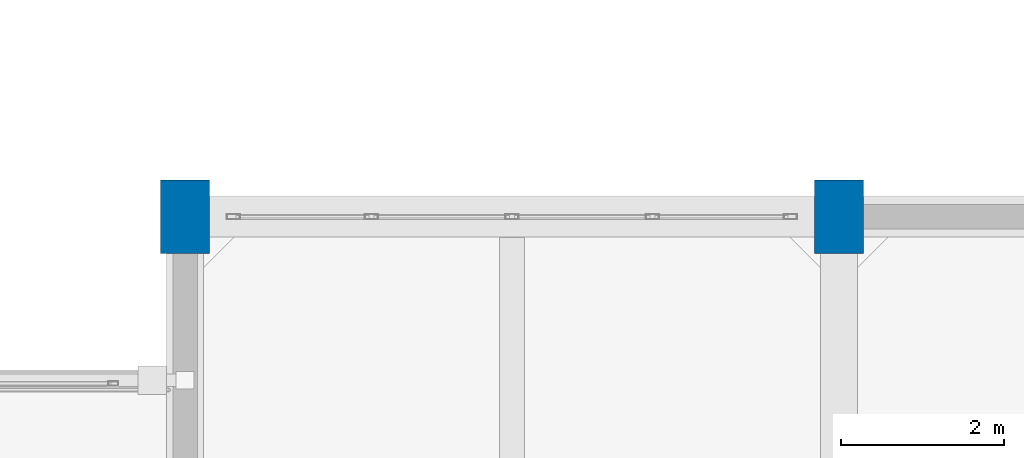
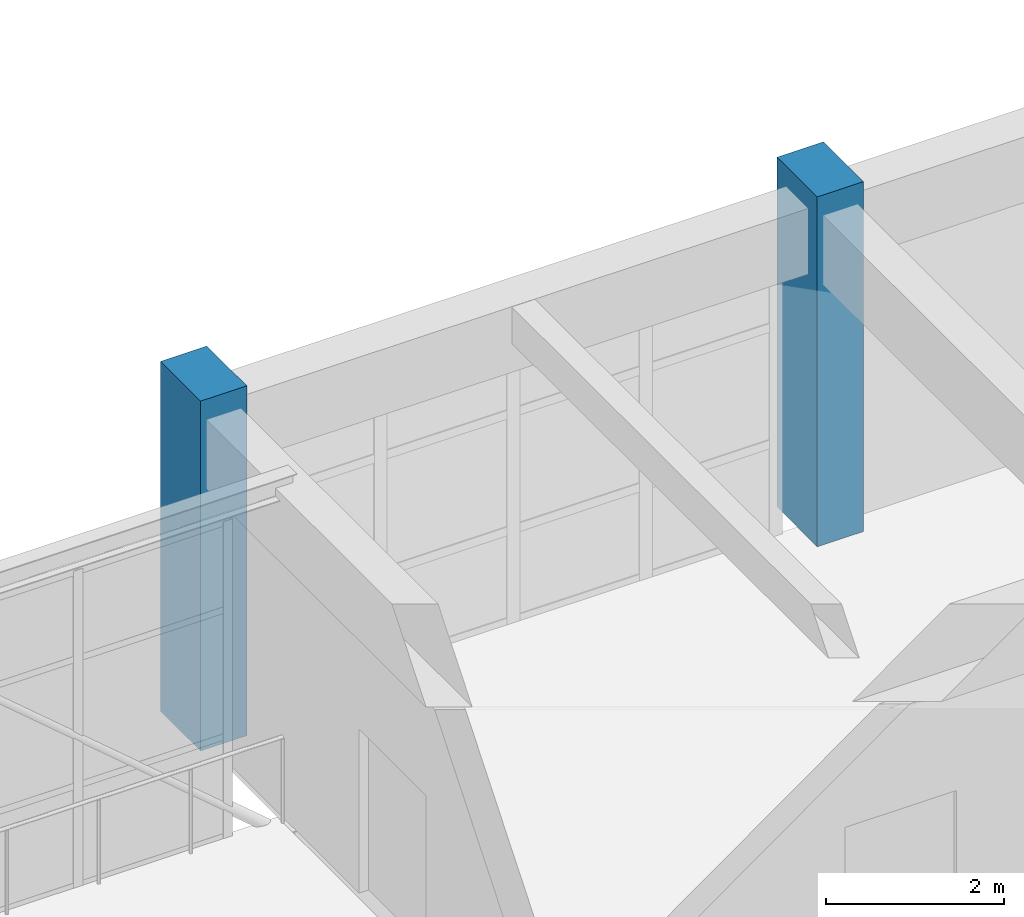
# One storey, part 14 of 248: 2 columns.
"""IFC4 building model written with IfcOpenShell, lengths in metres."""

from ifc_helpers import new_model, si_unit, direction, frame, origin, origin_2d, place, context, subcontext, project, spatial, rectangle, extrude, material, material_profile, profile_set, type_object, element, save


model = new_model("IFC4")

# Units and contexts
model_context = context("Model", 3, precision=1e-05, world=origin(), true_north=direction((0.0, 1.0)))
body_context = subcontext(model_context, "Body", "Model", "MODEL_VIEW")
ifc_project = project(units=[si_unit("LENGTHUNIT", "METRE"), si_unit("AREAUNIT", "SQUARE_METRE"), si_unit("VOLUMEUNIT", "CUBIC_METRE"), si_unit("PLANEANGLEUNIT", "RADIAN"), si_unit("MASSUNIT", "GRAM", prefix="KILO")], contexts=[model_context])

# Site, building, storey
site_placement = place(None, origin())
site = spatial("IfcSite", under=ifc_project, at=site_placement, CompositionType="ELEMENT")
building_placement = place(site_placement, origin())
building = spatial("IfcBuilding", under=site, at=building_placement, Name="Canggui Botanical Conservatory", CompositionType="ELEMENT")
storey_placement = place(building_placement, frame((0.0, 0.0, 5.39990234375)))
storey = spatial("IfcBuildingStorey", under=building, at=storey_placement, Name="L02", CompositionType="ELEMENT", Elevation=5.39990234375)

# Columns
ifc_material = material(Name="Concrete C50", Category="concrete")
ifc_material_profile = material_profile(ifc_material, rectangle(XDim=0.60009765625, YDim=0.89990234375, at=origin_2d()), Name="RC 600x900")
ifc_profile_set = profile_set([ifc_material_profile], Name="Concrete C50")
column_type = type_object("IfcColumnType", Name="COL-KZ17", PredefinedType="COLUMN", material=ifc_profile_set)
for number, where, z_axis, x_axis, name in (
    (1, (130.0, 82.0, 0.0), (0.0, 0.0, 1.0), (1.0, 0.0, 0.0), "Tower RC Column L02 (130,82)"),
    (2, (138.0, 82.0, 0.0), (0.0, 0.0, 1.0), (1.0, 0.0, 0.0), "Tower RC Column L02 (138,82)"),
):
    element("IfcColumn", number, at=place(storey_placement, frame(where, z_axis=z_axis, x_axis=x_axis)), inside=storey, type_object=column_type, Name=name, PredefinedType="COLUMN", context=body_context, shape_type="SweptSolid", body=[
        extrude(rectangle(XDim=0.60009765625, YDim=0.89990234375, at=origin_2d()), origin(), (0.0, 0.0, 1.0), 4.800048828125),
    ])

save(model, "model.ifc")
